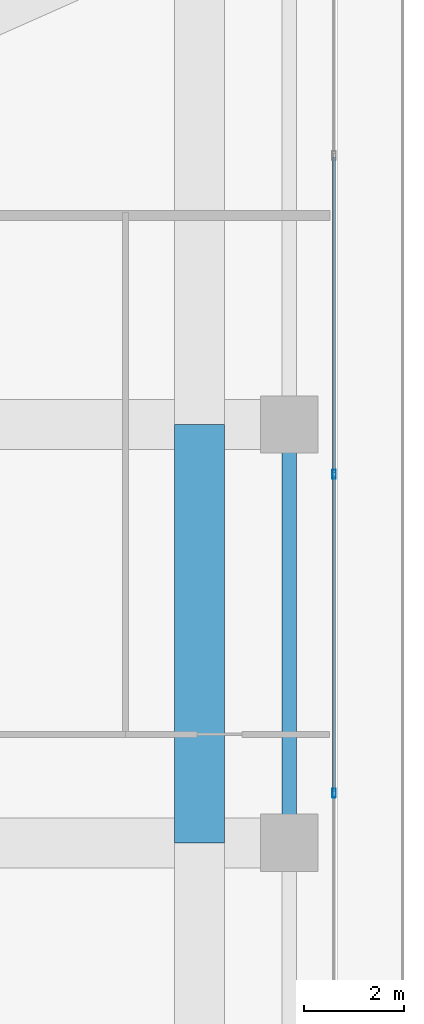
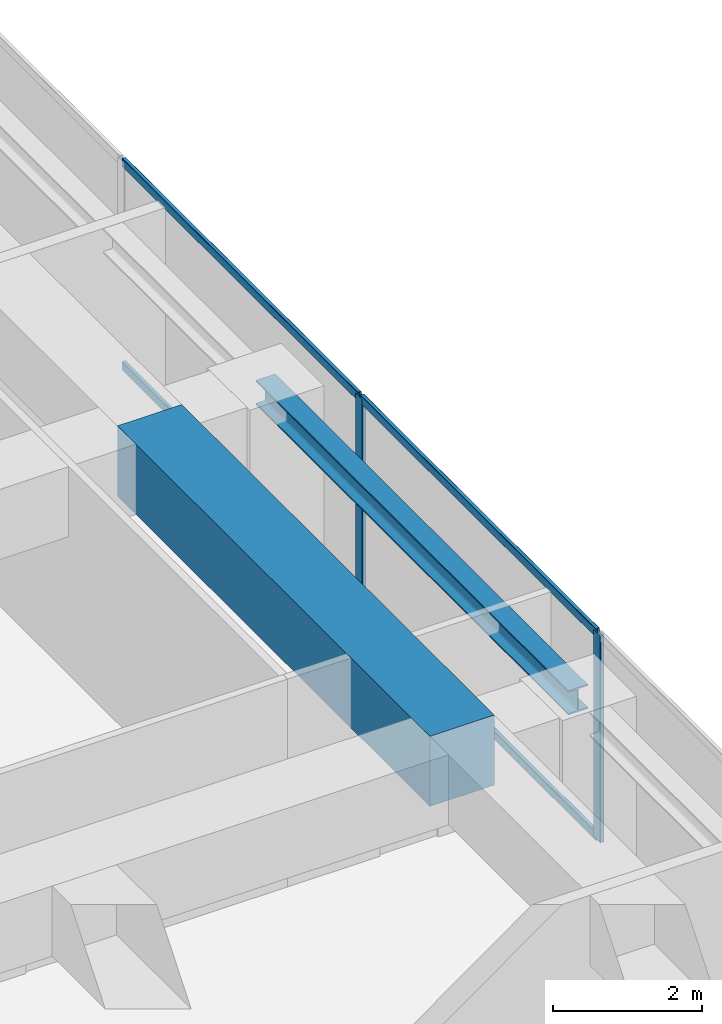
# One storey, part 19 of 39: 6 members, 2 beams, 1 element without a shape of its own.
"""IFC4 building model written with IfcOpenShell, lengths in metres."""

from ifc_helpers import new_model, si_unit, direction, frame, origin, origin_2d, place, context, subcontext, project, spatial, rectangle, hollow_rectangle, i_section, extrude, source, transform, mapped, material, layer, layer_set, material_profile, profile_set, type_object, element, aggregate, save


model = new_model("IFC4")

# Units and contexts
model_context = context("Model", 3, precision=1e-05, world=origin(), true_north=direction((0.0, 1.0)))
body_context = subcontext(model_context, "Body", "Model", "MODEL_VIEW")
ifc_project = project(units=[si_unit("LENGTHUNIT", "METRE"), si_unit("AREAUNIT", "SQUARE_METRE"), si_unit("VOLUMEUNIT", "CUBIC_METRE"), si_unit("PLANEANGLEUNIT", "RADIAN"), si_unit("MASSUNIT", "GRAM", prefix="KILO")], contexts=[model_context])

# Site, building, storey
site_placement = place(None, origin())
site = spatial("IfcSite", under=ifc_project, at=site_placement, CompositionType="ELEMENT")
building_placement = place(site_placement, origin())
building = spatial("IfcBuilding", under=site, at=building_placement, Name="Serunith Strait Residences", CompositionType="ELEMENT")
storey_placement = place(building_placement, frame((0.0, 0.0, 283.60009765625)))
storey = spatial("IfcBuildingStorey", under=building, at=storey_placement, Name="L71", CompositionType="ELEMENT", Elevation=283.60009765625)

# Beams
ifc_material_1 = material(Name="Concrete C80/95", Category="concrete")
ifc_material_profile_1 = material_profile(ifc_material_1, rectangle(XDim=1.0, YDim=1.14990234375, at=origin_2d()), Name="RC 1000x1150")
ifc_profile_set_1 = profile_set([ifc_material_profile_1], Name="Concrete C80/95")
beam_type_1 = type_object("IfcBeamType", Name="BM-XFER-1000x1150", PredefinedType="BEAM", material=ifc_profile_set_1)
shared_shape_1 = source(origin(), body_context, "Body", "SweptSolid", [
    extrude(rectangle(XDim=1.0, YDim=1.14990234375, at=origin_2d()), origin(), (0.0, 0.0, 1.0), 8.39990234375),
])
beam_1_placement = place(storey_placement, frame((54.699951171875, 21.0, 2.8349609375), z_axis=(0.0, 1.0, 0.0), x_axis=(-1.0, 0.0, 0.0)))
element("IfcBeam", 1, at=beam_1_placement, inside=storey, type_object=beam_type_1, Name="L71 Flare Upper Ring Transfer Girder 06", PredefinedType="BEAM", context=body_context, shape_type="MappedRepresentation", body=[
    mapped(shared_shape_1, transform((0.0, 0.0, 0.0), scale=1.0)),
])
ifc_material_2 = material(Name="Steel S355J2", Category="steel")
ifc_material_profile_2 = material_profile(ifc_material_2, i_section(OverallWidth=0.300048828125, OverallDepth=0.39990234375, WebThickness=0.013427734375, FlangeThickness=0.02392578125, FilletRadius=0.027099609375, at=origin_2d()), Name="HEB 400")
ifc_profile_set_2 = profile_set([ifc_material_profile_2], Name="Steel S355J2")
beam_type_2 = type_object("IfcBeamType", Name="BM-HEB400", PredefinedType="BEAM", material=ifc_profile_set_2)
shared_shape_2 = source(origin(), body_context, "Body", "SweptSolid", [
    extrude(i_section(OverallWidth=0.300048828125, OverallDepth=0.39990234375, WebThickness=0.013427734375, FlangeThickness=0.02392578125, FilletRadius=0.027099609375, at=origin_2d()), origin(), (0.0, 0.0, 1.0), 8.39990234375),
])
beam_2_placement = place(storey_placement, frame((56.5, 21.0, 3.206787109375), z_axis=(0.0, 1.0, 0.0), x_axis=(-1.0, 0.0, 0.0)))
element("IfcBeam", 2, at=beam_2_placement, inside=storey, type_object=beam_type_2, Name="L71 Perimeter Ring Beam 06", PredefinedType="BEAM", context=body_context, shape_type="MappedRepresentation", body=[
    mapped(shared_shape_2, transform((0.0, 0.0, 0.0), scale=1.0)),
])

# Curtain wall, members
ifc_material_3 = material(Name="Pale-Champagne Anodised Aluminium", Category="aluminium")
ifc_layer = layer(ifc_material_3, 0.199951171875, Name="Pale-Champagne Anodised Aluminium")
ifc_layer_set = layer_set([ifc_layer], Name="Pale-Champagne Anodised Aluminium")
curtain_wall_type = type_object("IfcCurtainWallType", Name="CW-SYS4", PredefinedType="NOTDEFINED", material=ifc_layer_set)
curtain_wall_placement = place(storey_placement, origin())
curtain_wall = element("IfcCurtainWall", 3, at=curtain_wall_placement, inside=storey, type_object=curtain_wall_type, Name="L71 E Unitised Fritted Curtain Wall", PredefinedType="NOTDEFINED")
ifc_material_profile_3 = material_profile(ifc_material_3, hollow_rectangle(XDim=0.06005859375, YDim=0.139892578125, WallThickness=0.00341796875, InnerFilletRadius=0.00537109375, OuterFilletRadius=0.0087890625, at=origin_2d()), Name="ALU 140x60x3.5")
ifc_profile_set_3 = profile_set([ifc_material_profile_3], Name="Pale-Champagne Anodised Aluminium")
member_type_1 = type_object("IfcMemberType", Name="CW-SYS4-TRAN", PredefinedType="USERDEFINED", material=ifc_profile_set_3)
shared_shape_3 = source(origin(), body_context, "Body", "SweptSolid", [
    extrude(hollow_rectangle(XDim=0.06005859375, YDim=0.139892578125, WallThickness=0.00341796875, InnerFilletRadius=0.00537109375, OuterFilletRadius=0.0087890625, at=origin_2d()), origin(), (0.0, 0.0, 1.0), 6.3349609375),
])
member_1_placement = place(storey_placement, frame((57.39990234375, 22.032470703125, 0.02978515625), z_axis=(0.0, 1.0, 0.0), x_axis=(-1.0, 0.0, 0.0)))
member_1 = element("IfcMember", 4, at=member_1_placement, type_object=member_type_1, Name="CW-4 transom 3.1", ObjectType="TRANSOM", PredefinedType="USERDEFINED", context=body_context, shape_type="MappedRepresentation", body=[
    mapped(shared_shape_3, transform((0.0, 0.0, 0.0), scale=1.0)),
])
member_2_placement = place(storey_placement, frame((57.39990234375, 22.032470703125, 3.364990234375), z_axis=(0.0, 1.0, 0.0), x_axis=(-1.0, 0.0, 0.0)))
member_2 = element("IfcMember", 5, at=member_2_placement, type_object=member_type_1, Name="CW-4 transom 3.2", ObjectType="TRANSOM", PredefinedType="USERDEFINED", context=body_context, shape_type="MappedRepresentation", body=[
    mapped(shared_shape_3, transform((0.0, 0.0, 0.0), scale=1.0)),
])
member_3_placement = place(storey_placement, frame((57.39990234375, 28.4326171875, 0.02978515625), z_axis=(0.0, 1.0, 0.0), x_axis=(-1.0, 0.0, 0.0)))
member_3 = element("IfcMember", 6, at=member_3_placement, type_object=member_type_1, Name="CW-4 transom 4.1", ObjectType="TRANSOM", PredefinedType="USERDEFINED", context=body_context, shape_type="MappedRepresentation", body=[
    mapped(shared_shape_3, transform((0.0, 0.0, 0.0), scale=1.0)),
])
member_4_placement = place(storey_placement, frame((57.39990234375, 28.4326171875, 3.364990234375), z_axis=(0.0, 1.0, 0.0), x_axis=(-1.0, 0.0, 0.0)))
member_4 = element("IfcMember", 7, at=member_4_placement, type_object=member_type_1, Name="CW-4 transom 4.2", ObjectType="TRANSOM", PredefinedType="USERDEFINED", context=body_context, shape_type="MappedRepresentation", body=[
    mapped(shared_shape_3, transform((0.0, 0.0, 0.0), scale=1.0)),
])
ifc_material_profile_4 = material_profile(ifc_material_3, hollow_rectangle(XDim=0.06494140625, YDim=0.179931640625, WallThickness=0.00341796875, InnerFilletRadius=0.00537109375, OuterFilletRadius=0.0087890625, at=origin_2d()), Name="ALU 180x65x3.5")
ifc_profile_set_4 = profile_set([ifc_material_profile_4], Name="Pale-Champagne Anodised Aluminium")
member_type_2 = type_object("IfcMemberType", Name="CW-SYS4-MULL", PredefinedType="MULLION", material=ifc_profile_set_4)
shared_shape_4 = source(origin(), body_context, "Body", "SweptSolid", [
    extrude(hollow_rectangle(XDim=0.06494140625, YDim=0.179931640625, WallThickness=0.00341796875, InnerFilletRadius=0.00537109375, OuterFilletRadius=0.0087890625, at=origin_2d()), origin(), (0.0, 0.0, 1.0), 3.39501953125),
])
member_5_placement = place(storey_placement, frame((57.39990234375, 22.0, 0.0), z_axis=(0.0, 0.0, 1.0), x_axis=(-1.0, 0.0, 0.0)))
member_5 = element("IfcMember", 8, at=member_5_placement, type_object=member_type_2, Name="CW-4 mullion 3", PredefinedType="MULLION", context=body_context, shape_type="MappedRepresentation", body=[
    mapped(shared_shape_4, transform((0.0, 0.0, 0.0), scale=1.0)),
])
member_6_placement = place(storey_placement, frame((57.39990234375, 28.39990234375, 0.0), z_axis=(0.0, 0.0, 1.0), x_axis=(-1.0, 0.0, 0.0)))
member_6 = element("IfcMember", 9, at=member_6_placement, type_object=member_type_2, Name="CW-4 mullion 4", PredefinedType="MULLION", context=body_context, shape_type="MappedRepresentation", body=[
    mapped(shared_shape_4, transform((0.0, 0.0, 0.0), scale=1.0)),
])
aggregate(curtain_wall, [member_5, member_6, member_1, member_2, member_3, member_4])

save(model, "model.ifc")
